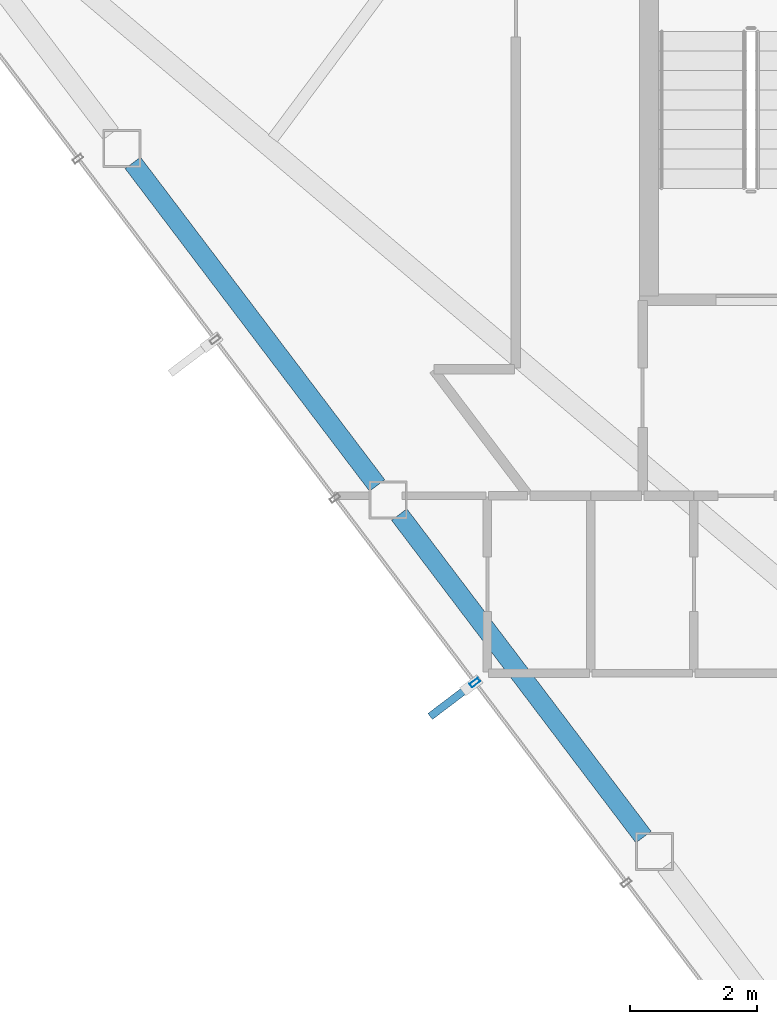
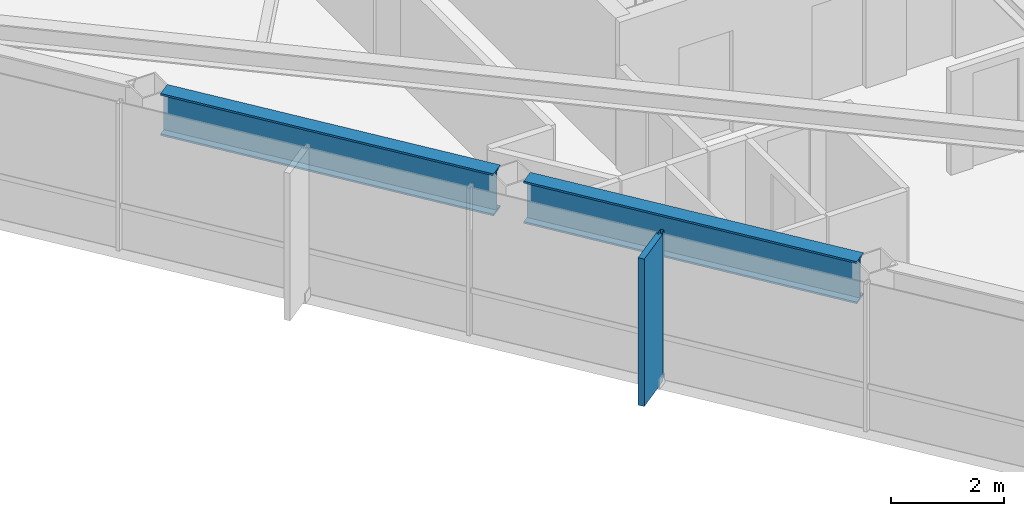
# One storey, part 3 of 27: 2 beams, 2 members, 1 element without a shape of its own.
"""IFC4 building model written with IfcOpenShell, lengths in metres."""

from ifc_helpers import new_model, si_unit, direction, frame, origin, origin_2d, place, context, subcontext, project, spatial, rectangle, hollow_rectangle, i_section, extrude, material, layer, layer_set, material_profile, profile_set, type_object, element, aggregate, save


model = new_model("IFC4")

# Units and contexts
model_context = context("Model", 3, precision=1e-05, world=origin(), true_north=direction((0.0, 1.0)))
body_context = subcontext(model_context, "Body", "Model", "MODEL_VIEW")
ifc_project = project(units=[si_unit("LENGTHUNIT", "METRE"), si_unit("AREAUNIT", "SQUARE_METRE"), si_unit("VOLUMEUNIT", "CUBIC_METRE"), si_unit("PLANEANGLEUNIT", "RADIAN"), si_unit("MASSUNIT", "GRAM", prefix="KILO")], contexts=[model_context])

# Site, building, storey
site_placement = place(None, origin())
site = spatial("IfcSite", under=ifc_project, at=site_placement, CompositionType="ELEMENT")
building_placement = place(site_placement, origin())
building = spatial("IfcBuilding", under=site, at=building_placement, Name="Zarrinselat Tower", CompositionType="ELEMENT")
storey_placement = place(building_placement, frame((0.0, 0.0, 229.159912109375)))
storey = spatial("IfcBuildingStorey", under=building, at=storey_placement, Name="L57", CompositionType="ELEMENT", Elevation=229.159912109375)

# Beams
ifc_material_1 = material(Name="Steel S460M", Category="steel")
ifc_material_profile_1 = material_profile(ifc_material_1, i_section(OverallWidth=0.302001953125, OverallDepth=0.909912109375, WebThickness=0.02099609375, FlangeThickness=0.0400390625, at=origin_2d()), Name="HEM 900")
ifc_profile_set_1 = profile_set([ifc_material_profile_1], Name="Steel S460M")
beam_type = type_object("IfcBeamType", Name="BM-HEM900", PredefinedType="BEAM", material=ifc_profile_set_1)
for number, where, z_axis, x_axis, name in (
    (1, (20.504638671875, 35.402587890625, 2.72509765625), (0.60388933811, -0.797068169806, 0.0), (0.797068169806, 0.60388933811, 0.0), "L57 Perimeter Spandrel Girder SP07"),
    (2, (24.708740234375, 29.853271484375, 2.72509765625), (0.603846647115, -0.797100512337, 0.0), (0.797100512337, 0.603846647115, 0.0), "L57 Perimeter Spandrel Girder SP08"),
):
    element("IfcBeam", number, at=place(storey_placement, frame(where, z_axis=z_axis, x_axis=x_axis)), inside=storey, type_object=beam_type, Name=name, PredefinedType="BEAM", context=body_context, shape_type="SweptSolid", body=[
        extrude(i_section(OverallWidth=0.302001953125, OverallDepth=0.909912109375, WebThickness=0.02099609375, FlangeThickness=0.0400390625, at=origin_2d()), origin(), (0.0, 0.0, 1.0), 6.385986328125),
    ])

# Curtain wall, members
ifc_material_2 = material(Name="Extruded Aluminium Alloy EN AW-6063 T6", Category="aluminium")
ifc_layer = layer(ifc_material_2, 0.169921875)
ifc_layer_set = layer_set([ifc_layer], Name="Extruded Aluminium Alloy EN AW-6063 T6")
curtain_wall_type = type_object("IfcCurtainWallType", Name="CWS-RES", PredefinedType="NOTDEFINED", material=ifc_layer_set)
curtain_wall_placement = place(storey_placement, origin())
curtain_wall = element("IfcCurtainWall", 3, at=curtain_wall_placement, inside=storey, type_object=curtain_wall_type, Name="L57 Unitised Curtain Wall CW-L57-E03", PredefinedType="NOTDEFINED")
ifc_material_3 = material(Name="Extruded Aluminium Alloy EN AW-6063 T6", Category="aluminium")
ifc_material_profile_2 = material_profile(ifc_material_3, hollow_rectangle(XDim=0.070068359375, YDim=0.159912109375, WallThickness=0.00390625, at=origin_2d()), Name="RHS 160x70x4")
ifc_profile_set_2 = profile_set([ifc_material_profile_2], Name="Extruded Aluminium Alloy EN AW-6063 T6")
member_type_1 = type_object("IfcMemberType", Name="MEM-CW-MUL2", PredefinedType="MULLION", material=ifc_profile_set_2)
member_1_placement = place(storey_placement, frame((25.90283203125, 27.20068359375, 0.0), z_axis=(0.0, 0.0, 1.0), x_axis=(0.603857419315, -0.7970923517, 0.0)))
member_1 = element("IfcMember", 4, at=member_1_placement, type_object=member_type_1, Name="CW-L57-E03 Mullion 5", PredefinedType="MULLION", context=body_context, shape_type="SweptSolid", body=[
    extrude(hollow_rectangle(XDim=0.070068359375, YDim=0.159912109375, WallThickness=0.00390625, at=origin_2d()), origin(), (0.0, 0.0, 1.0), 3.18017578125),
])
ifc_material_4 = material(Name="Honed Cream Travertine Stone", Category="masonry")
ifc_material_profile_3 = material_profile(ifc_material_4, rectangle(XDim=0.1201171875, YDim=0.85009765625, at=origin_2d()), Name="FIN 850x120")
ifc_profile_set_3 = profile_set([ifc_material_profile_3], Name="Honed Cream Travertine Stone")
member_type_2 = type_object("IfcMemberType", Name="MEM-STONE-FIN", PredefinedType="USERDEFINED", material=ifc_profile_set_3)
member_2_placement = place(storey_placement, frame((25.5361328125, 26.9228515625, 0.0), z_axis=(0.0, 0.0, 1.0), x_axis=(-0.603857419315, 0.7970923517, 0.0)))
member_2 = element("IfcMember", 5, at=member_2_placement, type_object=member_type_2, Name="L57 Stone Shading Fin CW-L57-E03-05", ObjectType="FIN", PredefinedType="USERDEFINED", context=body_context, shape_type="SweptSolid", body=[
    extrude(rectangle(XDim=0.1201171875, YDim=0.85009765625, at=origin_2d()), origin(), (0.0, 0.0, 1.0), 3.18017578125),
])
aggregate(curtain_wall, [member_1, member_2])

save(model, "model.ifc")
